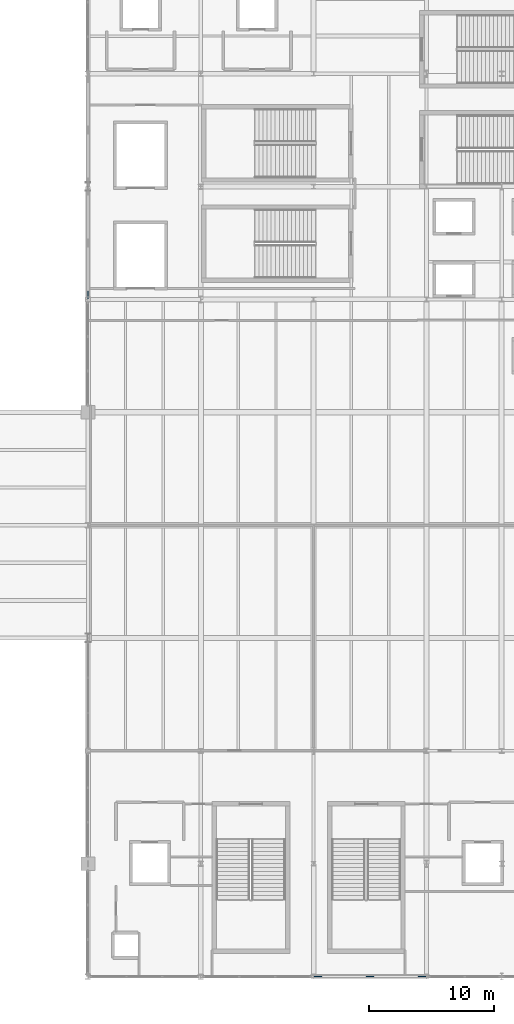
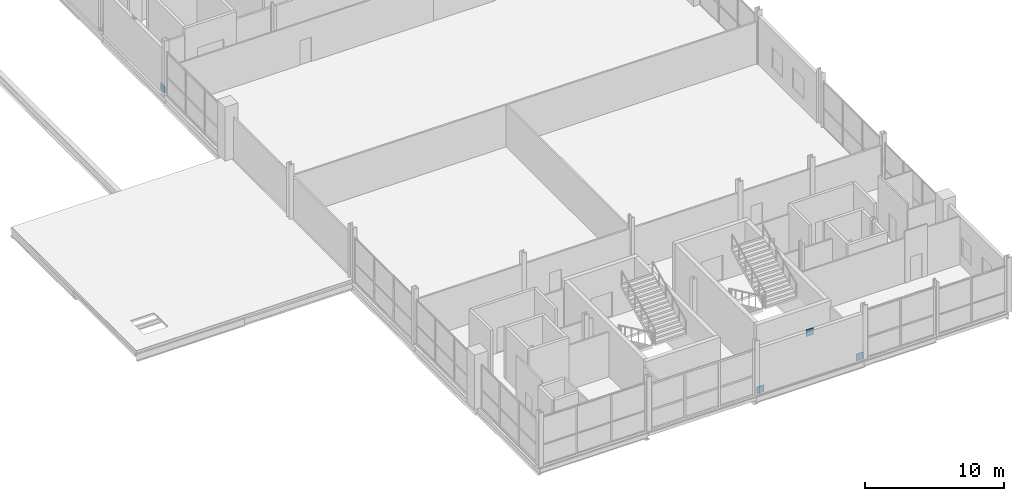
# One storey, part 37 of 50: 4 plates.
"""IFC4 building model written with IfcOpenShell, lengths in metres."""

from ifc_helpers import new_model, si_unit, direction, frame, origin, origin_2d, place, context, subcontext, project, spatial, rectangle, extrude, material, layer, layer_set, type_object, element, save


model = new_model("IFC4")

# Units and contexts
model_context = context("Model", 3, precision=1e-05, world=origin(), true_north=direction((0.0, 1.0)))
body_context = subcontext(model_context, "Body", "Model", "MODEL_VIEW")
ifc_project = project(units=[si_unit("LENGTHUNIT", "METRE"), si_unit("AREAUNIT", "SQUARE_METRE"), si_unit("VOLUMEUNIT", "CUBIC_METRE"), si_unit("PLANEANGLEUNIT", "RADIAN"), si_unit("MASSUNIT", "GRAM", prefix="KILO")], contexts=[model_context])

# Site, building, storey
site_placement = place(None, origin())
site = spatial("IfcSite", under=ifc_project, at=site_placement, CompositionType="ELEMENT")
building_placement = place(site_placement, origin())
building = spatial("IfcBuilding", under=site, at=building_placement, Name="Qamarlyn Nura Convention Centre", CompositionType="ELEMENT")
storey_placement = place(building_placement, frame((0.0, 0.0, 20.39990234375)))
storey = spatial("IfcBuildingStorey", under=building, at=storey_placement, Name="L04", CompositionType="ELEMENT", Elevation=20.39990234375)

# Plates
ifc_material = material(Name="Structural steel ASTM A572 Grade 50", Category="steel")
ifc_layer = layer(ifc_material, 0.044921875, Name="GP-TN1")
ifc_layer_set = layer_set([ifc_layer], Name="Structural steel ASTM A572 Grade 50")
plate_type = type_object("IfcPlateType", Name="GP-TN1", PredefinedType="USERDEFINED", material=ifc_layer_set)
for number, where, z_axis, x_axis, name in (
    (1, (171.360107421875, 0.0, 0.0), (0.0, 0.0, 1.0), (1.0, 0.0, 0.0), "SCBF chevron brace gusset plate CBF-E1-L04-A"),
    (2, (179.639892578125, 0.0, 0.0), (0.0, 0.0, 1.0), (1.0, 0.0, 0.0), "SCBF chevron brace gusset plate CBF-E1-L04-B"),
    (3, (175.5, 0.0, 3.593994140625), (0.0, 0.0, 1.0), (1.0, 0.0, 0.0), "SCBF chevron brace gusset plate CBF-E1-L04-M"),
    (4, (153.0, 54.360107421875, 0.0), (0.0, 0.0, 1.0), (0.0, 1.0, 0.0), "SCBF chevron brace gusset plate CBF-E3-L04-A"),
):
    element("IfcPlate", number, at=place(storey_placement, frame(where, z_axis=z_axis, x_axis=x_axis)), inside=storey, type_object=plate_type, Name=name, ObjectType="GUSSET PLATE", PredefinedType="USERDEFINED", context=body_context, shape_type="SweptSolid", body=[
        extrude(rectangle(XDim=0.60009765625, YDim=0.044921875, at=origin_2d()), origin(), (0.0, 0.0, 1.0), 0.60009765625),
    ])

save(model, "model.ifc")
